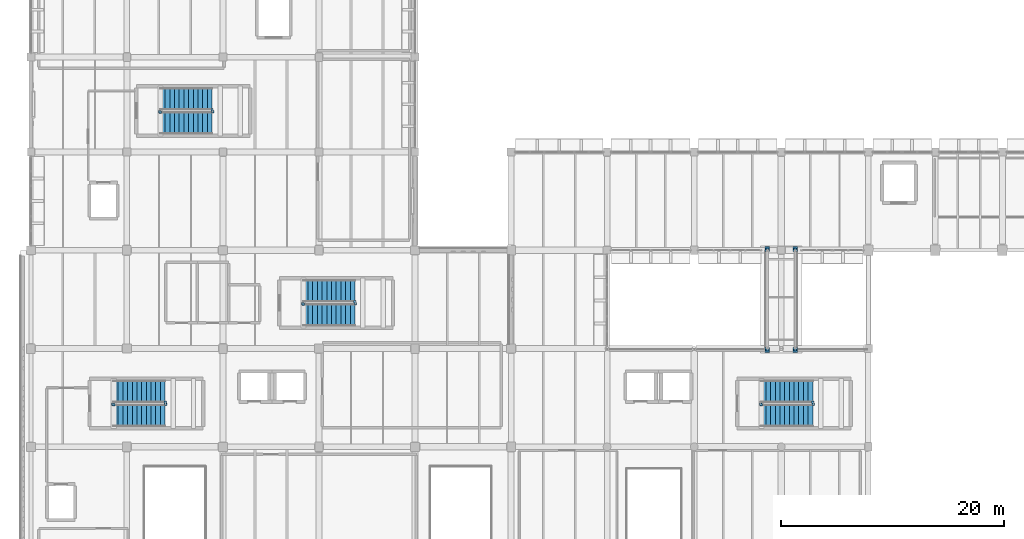
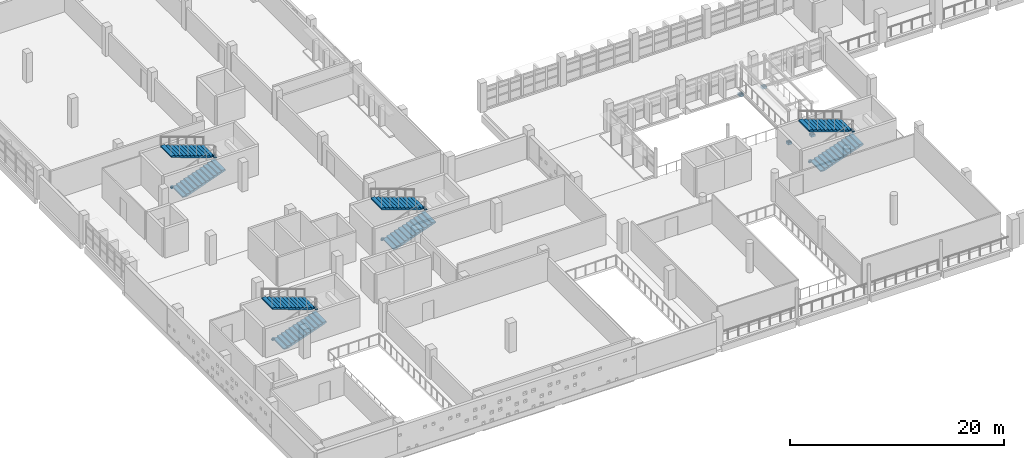
# One storey, part 65 of 75: 24 discrete accessories, 8 stair flights, 4 elements without a shape of their own.
"""IFC4 building model written with IfcOpenShell, lengths in metres."""

from ifc_helpers import new_model, si_unit, direction, frame, origin, origin_2d, place, context, subcontext, project, spatial, polyline, rectangle, outline, extrude, material, type_object, element, aggregate, save


model = new_model("IFC4")

# Units and contexts
model_context = context("Model", 3, precision=1e-05, world=origin(), true_north=direction((0.0, 1.0)))
body_context = subcontext(model_context, "Body", "Model", "MODEL_VIEW")
ifc_project = project(units=[si_unit("LENGTHUNIT", "METRE"), si_unit("AREAUNIT", "SQUARE_METRE"), si_unit("VOLUMEUNIT", "CUBIC_METRE"), si_unit("PLANEANGLEUNIT", "RADIAN"), si_unit("MASSUNIT", "GRAM", prefix="KILO")], contexts=[model_context])

# Site, building, storey
site_placement = place(None, origin())
site = spatial("IfcSite", under=ifc_project, at=site_placement, CompositionType="ELEMENT")
building_placement = place(site_placement, origin())
building = spatial("IfcBuilding", under=site, at=building_placement, Name="Varnakota Cinema and Media Centre", CompositionType="ELEMENT")
storey_placement = place(building_placement, frame((0.0, 0.0, 8.39990234375)))
storey = spatial("IfcBuildingStorey", under=building, at=storey_placement, Name="L02", CompositionType="ELEMENT", Elevation=8.39990234375)

# Stair, stair flights
ifc_material_1 = material(Name="Concrete M35", Category="concrete")
stair_type_1 = type_object("IfcStairType", Name="STR-CORE-ST-01-2000", PredefinedType="HALF_TURN_STAIR", material=ifc_material_1)
stair_1_placement = place(storey_placement, origin())
stair_1 = element("IfcStair", 1, at=stair_1_placement, inside=storey, type_object=stair_type_1, Name="L02 West Firefighting Stair 1", PredefinedType="HALF_TURN_STAIR")
ifc_material_2 = material(Name="Concrete M35", Category="concrete")
stair_flight_type_1 = type_object("IfcStairFlightType", Name="STF-CORE-ST-01-2000", PredefinedType="STRAIGHT", material=ifc_material_2)
stair_flight_1_placement = place(storey_placement, frame((7.39990234375, 20.39990234375, 0.0), z_axis=(0.0, 0.0, 1.0), x_axis=(1.0, 0.0, 0.0)))
stair_flight_1 = element("IfcStairFlight", 2, at=stair_flight_1_placement, type_object=stair_flight_type_1, Name="ST-01 flight 1", NumberOfRisers=12, NumberOfTreads=11, PredefinedType="STRAIGHT", RiserHeight=0.15, TreadLength=0.42, context=body_context, shape_type="SweptSolid", body=[
    extrude(outline(polyline([(0.0, 0.0), (0.0, 0.14990234375), (0.419921875, 0.14990234375), (0.419921875, 0.300048828125), (0.840087890625, 0.300048828125), (0.840087890625, 0.449951171875), (1.260009765625, 0.449951171875), (1.260009765625, 0.60009765625), (1.679931640625, 0.60009765625), (1.679931640625, 0.75), (2.10009765625, 0.75), (2.10009765625, 0.89990234375), (2.52001953125, 0.89990234375), (2.52001953125, 1.050048828125), (2.93994140625, 1.050048828125), (2.93994140625, 1.199951171875), (3.360107421875, 1.199951171875), (3.360107421875, 1.35009765625), (3.780029296875, 1.35009765625), (3.780029296875, 1.5), (4.199951171875, 1.5), (4.199951171875, 1.64990234375), (4.6201171875, 1.64990234375), (4.6201171875, 1.800048828125), (4.6201171875, 1.49072265625), (0.44580078125, 0.0), (0.0, 0.0)])), frame((0.0, 1.0, 0.0), z_axis=(0.0, -1.0, 0.0), x_axis=(1.0, 0.0, 0.0)), (0.0, 0.0, 1.0), 2.0),
])
stair_flight_2_placement = place(storey_placement, frame((12.02001953125, 22.550048828125, 1.800048828125), z_axis=(0.0, 0.0, 1.0), x_axis=(-1.0, 0.0, 0.0)))
stair_flight_2 = element("IfcStairFlight", 3, at=stair_flight_2_placement, type_object=stair_flight_type_1, Name="ST-01 flight 2", NumberOfRisers=12, NumberOfTreads=11, PredefinedType="STRAIGHT", RiserHeight=0.15, TreadLength=0.42, context=body_context, shape_type="SweptSolid", body=[
    extrude(outline(polyline([(0.0, 0.0), (0.0, 0.14990234375), (0.419921875, 0.14990234375), (0.419921875, 0.300048828125), (0.840087890625, 0.300048828125), (0.840087890625, 0.449951171875), (1.260009765625, 0.449951171875), (1.260009765625, 0.60009765625), (1.679931640625, 0.60009765625), (1.679931640625, 0.75), (2.10009765625, 0.75), (2.10009765625, 0.89990234375), (2.52001953125, 0.89990234375), (2.52001953125, 1.050048828125), (2.93994140625, 1.050048828125), (2.93994140625, 1.199951171875), (3.360107421875, 1.199951171875), (3.360107421875, 1.35009765625), (3.780029296875, 1.35009765625), (3.780029296875, 1.5), (4.199951171875, 1.5), (4.199951171875, 1.64990234375), (4.6201171875, 1.64990234375), (4.6201171875, 1.800048828125), (4.6201171875, 1.49072265625), (0.44580078125, 0.0), (0.0, 0.0)])), frame((0.0, 1.0, 0.0), z_axis=(0.0, -1.0, 0.0), x_axis=(1.0, 0.0, 0.0)), (0.0, 0.0, 1.0), 2.0),
])
aggregate(stair_1, [stair_flight_1, stair_flight_2])

ifc_material_3 = material(Name="Concrete M35", Category="concrete")
stair_type_2 = type_object("IfcStairType", Name="STR-CORE-ST-02-2000", PredefinedType="HALF_TURN_STAIR", material=ifc_material_3)
stair_2_placement = place(storey_placement, origin())
stair_2 = element("IfcStair", 4, at=stair_2_placement, inside=storey, type_object=stair_type_2, Name="L02 Cinema North Escape Stair 2", PredefinedType="HALF_TURN_STAIR")
ifc_material_4 = material(Name="Concrete M35", Category="concrete")
stair_flight_type_2 = type_object("IfcStairFlightType", Name="STF-CORE-ST-02-2000", PredefinedType="STRAIGHT", material=ifc_material_4)
stair_flight_3_placement = place(storey_placement, frame((24.39990234375, 29.39990234375, 0.0), z_axis=(0.0, 0.0, 1.0), x_axis=(1.0, 0.0, 0.0)))
stair_flight_3 = element("IfcStairFlight", 5, at=stair_flight_3_placement, type_object=stair_flight_type_2, Name="ST-02 flight 1", NumberOfRisers=12, NumberOfTreads=11, PredefinedType="STRAIGHT", RiserHeight=0.15, TreadLength=0.42, context=body_context, shape_type="SweptSolid", body=[
    extrude(outline(polyline([(0.0, 0.0), (0.0, 0.14990234375), (0.419921875, 0.14990234375), (0.419921875, 0.300048828125), (0.840087890625, 0.300048828125), (0.840087890625, 0.449951171875), (1.260009765625, 0.449951171875), (1.260009765625, 0.60009765625), (1.679931640625, 0.60009765625), (1.679931640625, 0.75), (2.10009765625, 0.75), (2.10009765625, 0.89990234375), (2.52001953125, 0.89990234375), (2.52001953125, 1.050048828125), (2.93994140625, 1.050048828125), (2.93994140625, 1.199951171875), (3.360107421875, 1.199951171875), (3.360107421875, 1.35009765625), (3.780029296875, 1.35009765625), (3.780029296875, 1.5), (4.199951171875, 1.5), (4.199951171875, 1.64990234375), (4.6201171875, 1.64990234375), (4.6201171875, 1.800048828125), (4.6201171875, 1.49072265625), (0.44580078125, 0.0), (0.0, 0.0)])), frame((0.0, 1.0, 0.0), z_axis=(0.0, -1.0, 0.0), x_axis=(1.0, 0.0, 0.0)), (0.0, 0.0, 1.0), 2.0),
])
stair_flight_4_placement = place(storey_placement, frame((29.02001953125, 31.550048828125, 1.800048828125), z_axis=(0.0, 0.0, 1.0), x_axis=(-1.0, 0.0, 0.0)))
stair_flight_4 = element("IfcStairFlight", 6, at=stair_flight_4_placement, type_object=stair_flight_type_2, Name="ST-02 flight 2", NumberOfRisers=12, NumberOfTreads=11, PredefinedType="STRAIGHT", RiserHeight=0.15, TreadLength=0.42, context=body_context, shape_type="SweptSolid", body=[
    extrude(outline(polyline([(0.0, 0.0), (0.0, 0.14990234375), (0.419921875, 0.14990234375), (0.419921875, 0.300048828125), (0.840087890625, 0.300048828125), (0.840087890625, 0.449951171875), (1.260009765625, 0.449951171875), (1.260009765625, 0.60009765625), (1.679931640625, 0.60009765625), (1.679931640625, 0.75), (2.10009765625, 0.75), (2.10009765625, 0.89990234375), (2.52001953125, 0.89990234375), (2.52001953125, 1.050048828125), (2.93994140625, 1.050048828125), (2.93994140625, 1.199951171875), (3.360107421875, 1.199951171875), (3.360107421875, 1.35009765625), (3.780029296875, 1.35009765625), (3.780029296875, 1.5), (4.199951171875, 1.5), (4.199951171875, 1.64990234375), (4.6201171875, 1.64990234375), (4.6201171875, 1.800048828125), (4.6201171875, 1.49072265625), (0.44580078125, 0.0), (0.0, 0.0)])), frame((0.0, 1.0, 0.0), z_axis=(0.0, -1.0, 0.0), x_axis=(1.0, 0.0, 0.0)), (0.0, 0.0, 1.0), 2.0),
])
aggregate(stair_2, [stair_flight_3, stair_flight_4])

ifc_material_5 = material(Name="Concrete M35", Category="concrete")
stair_type_3 = type_object("IfcStairType", Name="STR-CORE-ST-03-2000", PredefinedType="HALF_TURN_STAIR", material=ifc_material_5)
stair_3_placement = place(storey_placement, origin())
stair_3 = element("IfcStair", 7, at=stair_3_placement, inside=storey, type_object=stair_type_3, Name="L02 Studio Firefighting Stair 3", PredefinedType="HALF_TURN_STAIR")
ifc_material_6 = material(Name="Concrete M35", Category="concrete")
stair_flight_type_3 = type_object("IfcStairFlightType", Name="STF-CORE-ST-03-2000", PredefinedType="STRAIGHT", material=ifc_material_6)
stair_flight_5_placement = place(storey_placement, frame((11.60009765625, 46.60009765625, 0.0), z_axis=(0.0, 0.0, 1.0), x_axis=(1.0, 0.0, 0.0)))
stair_flight_5 = element("IfcStairFlight", 8, at=stair_flight_5_placement, type_object=stair_flight_type_3, Name="ST-03 flight 1", NumberOfRisers=12, NumberOfTreads=11, PredefinedType="STRAIGHT", RiserHeight=0.15, TreadLength=0.42, context=body_context, shape_type="SweptSolid", body=[
    extrude(outline(polyline([(0.0, 0.0), (0.0, 0.14990234375), (0.419921875, 0.14990234375), (0.419921875, 0.300048828125), (0.840087890625, 0.300048828125), (0.840087890625, 0.449951171875), (1.260009765625, 0.449951171875), (1.260009765625, 0.60009765625), (1.679931640625, 0.60009765625), (1.679931640625, 0.75), (2.10009765625, 0.75), (2.10009765625, 0.89990234375), (2.52001953125, 0.89990234375), (2.52001953125, 1.050048828125), (2.93994140625, 1.050048828125), (2.93994140625, 1.199951171875), (3.360107421875, 1.199951171875), (3.360107421875, 1.35009765625), (3.780029296875, 1.35009765625), (3.780029296875, 1.5), (4.199951171875, 1.5), (4.199951171875, 1.64990234375), (4.6201171875, 1.64990234375), (4.6201171875, 1.800048828125), (4.6201171875, 1.49072265625), (0.44580078125, 0.0), (0.0, 0.0)])), frame((0.0, 1.0, 0.0), z_axis=(0.0, -1.0, 0.0), x_axis=(1.0, 0.0, 0.0)), (0.0, 0.0, 1.0), 2.0),
])
stair_flight_6_placement = place(storey_placement, frame((16.219970703125, 48.75, 1.800048828125), z_axis=(0.0, 0.0, 1.0), x_axis=(-1.0, 0.0, 0.0)))
stair_flight_6 = element("IfcStairFlight", 9, at=stair_flight_6_placement, type_object=stair_flight_type_3, Name="ST-03 flight 2", NumberOfRisers=12, NumberOfTreads=11, PredefinedType="STRAIGHT", RiserHeight=0.15, TreadLength=0.42, context=body_context, shape_type="SweptSolid", body=[
    extrude(outline(polyline([(0.0, 0.0), (0.0, 0.14990234375), (0.419921875, 0.14990234375), (0.419921875, 0.300048828125), (0.840087890625, 0.300048828125), (0.840087890625, 0.449951171875), (1.260009765625, 0.449951171875), (1.260009765625, 0.60009765625), (1.679931640625, 0.60009765625), (1.679931640625, 0.75), (2.10009765625, 0.75), (2.10009765625, 0.89990234375), (2.52001953125, 0.89990234375), (2.52001953125, 1.050048828125), (2.93994140625, 1.050048828125), (2.93994140625, 1.199951171875), (3.360107421875, 1.199951171875), (3.360107421875, 1.35009765625), (3.780029296875, 1.35009765625), (3.780029296875, 1.5), (4.199951171875, 1.5), (4.199951171875, 1.64990234375), (4.6201171875, 1.64990234375), (4.6201171875, 1.800048828125), (4.6201171875, 1.49072265625), (0.44580078125, 0.0), (0.0, 0.0)])), frame((0.0, 1.0, 0.0), z_axis=(0.0, -1.0, 0.0), x_axis=(1.0, 0.0, 0.0)), (0.0, 0.0, 1.0), 2.0),
])
aggregate(stair_3, [stair_flight_5, stair_flight_6])

ifc_material_7 = material(Name="Concrete M35", Category="concrete")
stair_type_4 = type_object("IfcStairType", Name="STR-CORE-ST-04-2000", PredefinedType="HALF_TURN_STAIR", material=ifc_material_7)
stair_4_placement = place(storey_placement, origin())
stair_4 = element("IfcStair", 10, at=stair_4_placement, inside=storey, type_object=stair_type_4, Name="L02 Foyer and Terrace Escape Stair 4", PredefinedType="HALF_TURN_STAIR")
ifc_material_8 = material(Name="Concrete M35", Category="concrete")
stair_flight_type_4 = type_object("IfcStairFlightType", Name="STF-CORE-ST-04-2000", PredefinedType="STRAIGHT", material=ifc_material_8)
stair_flight_7_placement = place(storey_placement, frame((65.39990234375, 20.39990234375, 0.0), z_axis=(0.0, 0.0, 1.0), x_axis=(1.0, 0.0, 0.0)))
stair_flight_7 = element("IfcStairFlight", 11, at=stair_flight_7_placement, type_object=stair_flight_type_4, Name="ST-04 flight 1", NumberOfRisers=12, NumberOfTreads=11, PredefinedType="STRAIGHT", RiserHeight=0.15, TreadLength=0.42, context=body_context, shape_type="SweptSolid", body=[
    extrude(outline(polyline([(0.0, 0.0), (0.0, 0.14990234375), (0.419921875, 0.14990234375), (0.419921875, 0.300048828125), (0.840087890625, 0.300048828125), (0.840087890625, 0.449951171875), (1.260009765625, 0.449951171875), (1.260009765625, 0.60009765625), (1.679931640625, 0.60009765625), (1.679931640625, 0.75), (2.10009765625, 0.75), (2.10009765625, 0.89990234375), (2.52001953125, 0.89990234375), (2.52001953125, 1.050048828125), (2.93994140625, 1.050048828125), (2.93994140625, 1.199951171875), (3.360107421875, 1.199951171875), (3.360107421875, 1.35009765625), (3.780029296875, 1.35009765625), (3.780029296875, 1.5), (4.199951171875, 1.5), (4.199951171875, 1.64990234375), (4.6201171875, 1.64990234375), (4.6201171875, 1.800048828125), (4.6201171875, 1.49072265625), (0.44580078125, 0.0), (0.0, 0.0)])), frame((0.0, 1.0, 0.0), z_axis=(0.0, -1.0, 0.0), x_axis=(1.0, 0.0, 0.0)), (0.0, 0.0, 1.0), 2.0),
])
stair_flight_8_placement = place(storey_placement, frame((70.02001953125, 22.550048828125, 1.800048828125), z_axis=(0.0, 0.0, 1.0), x_axis=(-1.0, 0.0, 0.0)))
stair_flight_8 = element("IfcStairFlight", 12, at=stair_flight_8_placement, type_object=stair_flight_type_4, Name="ST-04 flight 2", NumberOfRisers=12, NumberOfTreads=11, PredefinedType="STRAIGHT", RiserHeight=0.15, TreadLength=0.42, context=body_context, shape_type="SweptSolid", body=[
    extrude(outline(polyline([(0.0, 0.0), (0.0, 0.14990234375), (0.419921875, 0.14990234375), (0.419921875, 0.300048828125), (0.840087890625, 0.300048828125), (0.840087890625, 0.449951171875), (1.260009765625, 0.449951171875), (1.260009765625, 0.60009765625), (1.679931640625, 0.60009765625), (1.679931640625, 0.75), (2.10009765625, 0.75), (2.10009765625, 0.89990234375), (2.52001953125, 0.89990234375), (2.52001953125, 1.050048828125), (2.93994140625, 1.050048828125), (2.93994140625, 1.199951171875), (3.360107421875, 1.199951171875), (3.360107421875, 1.35009765625), (3.780029296875, 1.35009765625), (3.780029296875, 1.5), (4.199951171875, 1.5), (4.199951171875, 1.64990234375), (4.6201171875, 1.64990234375), (4.6201171875, 1.800048828125), (4.6201171875, 1.49072265625), (0.44580078125, 0.0), (0.0, 0.0)])), frame((0.0, 1.0, 0.0), z_axis=(0.0, -1.0, 0.0), x_axis=(1.0, 0.0, 0.0)), (0.0, 0.0, 1.0), 2.0),
])
aggregate(stair_4, [stair_flight_7, stair_flight_8])

# Discrete accessories
ifc_material_9 = material(Name="Structural steel Grade 350 (E350)", Category="steel")
discrete_accessory_type_1 = type_object("IfcDiscreteAccessoryType", Name="ACC-BRACKET-SG", PredefinedType="BRACKET", material=ifc_material_9)
for number, where, z_axis, x_axis, name in (
    (13, (7.39990234375, 21.35009765625, 0.06005859375), (0.0, 0.0, 1.0), (1.0, 0.0, 0.0), "L02 stair guard base bracket ST-01-L02-G1"),
    (14, (12.070068359375, 21.39990234375, 1.7099609375), (0.0, 0.0, 1.0), (1.0, 0.0, 0.0), "L02 stair guard base bracket ST-01-L02-G2"),
    (15, (12.02001953125, 21.60009765625, 1.8603515625), (0.0, 0.0, 1.0), (1.0, 0.0, 0.0), "L02 stair guard base bracket ST-01-L02-G3"),
    (16, (7.35009765625, 21.39990234375, -0.08984375), (0.0, 0.0, 1.0), (1.0, 0.0, 0.0), "L02 stair guard base bracket ST-01-L02-G4"),
    (17, (24.39990234375, 30.35009765625, 0.06005859375), (0.0, 0.0, 1.0), (1.0, 0.0, 0.0), "L02 stair guard base bracket ST-02-L02-G1"),
    (18, (29.070068359375, 30.39990234375, 1.7099609375), (0.0, 0.0, 1.0), (1.0, 0.0, 0.0), "L02 stair guard base bracket ST-02-L02-G2"),
    (19, (29.02001953125, 30.60009765625, 1.8603515625), (0.0, 0.0, 1.0), (1.0, 0.0, 0.0), "L02 stair guard base bracket ST-02-L02-G3"),
    (20, (24.35009765625, 30.39990234375, -0.08984375), (0.0, 0.0, 1.0), (1.0, 0.0, 0.0), "L02 stair guard base bracket ST-02-L02-G4"),
    (21, (11.60009765625, 47.550048828125, 0.06005859375), (0.0, 0.0, 1.0), (1.0, 0.0, 0.0), "L02 stair guard base bracket ST-03-L02-G1"),
    (22, (16.27001953125, 47.60009765625, 1.7099609375), (0.0, 0.0, 1.0), (1.0, 0.0, 0.0), "L02 stair guard base bracket ST-03-L02-G2"),
    (23, (16.219970703125, 47.800048828125, 1.8603515625), (0.0, 0.0, 1.0), (1.0, 0.0, 0.0), "L02 stair guard base bracket ST-03-L02-G3"),
    (24, (11.550048828125, 47.60009765625, -0.08984375), (0.0, 0.0, 1.0), (1.0, 0.0, 0.0), "L02 stair guard base bracket ST-03-L02-G4"),
    (25, (65.39990234375, 21.35009765625, 0.06005859375), (0.0, 0.0, 1.0), (1.0, 0.0, 0.0), "L02 stair guard base bracket ST-04-L02-G1"),
    (26, (70.070068359375, 21.39990234375, 1.7099609375), (0.0, 0.0, 1.0), (1.0, 0.0, 0.0), "L02 stair guard base bracket ST-04-L02-G2"),
    (27, (70.02001953125, 21.60009765625, 1.8603515625), (0.0, 0.0, 1.0), (1.0, 0.0, 0.0), "L02 stair guard base bracket ST-04-L02-G3"),
    (28, (65.35009765625, 21.39990234375, -0.08984375), (0.0, 0.0, 1.0), (1.0, 0.0, 0.0), "L02 stair guard base bracket ST-04-L02-G4"),
):
    element("IfcDiscreteAccessory", number, at=place(storey_placement, frame(where, z_axis=z_axis, x_axis=x_axis)), inside=storey, type_object=discrete_accessory_type_1, Name=name, PredefinedType="BRACKET", context=body_context, shape_type="SweptSolid", body=[
        extrude(rectangle(XDim=0.219970703125, YDim=0.219970703125, at=origin_2d()), origin(), (0.0, 0.0, 1.0), 0.139892578125),
    ])
ifc_material_10 = material(Name="Structural steel Grade 350 (E350)", Category="steel")
discrete_accessory_type_2 = type_object("IfcDiscreteAccessoryType", Name="ACC-PTFE-SLIDE-200", PredefinedType="BRACKET", material=ifc_material_10)
for number, where, z_axis, x_axis, name in (
    (29, (65.949951171875, 26.27490234375, -0.84228515625), (0.0, 0.0, 1.0), (1.0, 0.0, 0.0), "L02 Chowk sky-bridge BR2 unguided PTFE sliding bearing 1.1 (450 mm seat)"),
    (30, (65.949951171875, 35.324951171875, -0.84228515625), (0.0, 0.0, 1.0), (1.0, 0.0, 0.0), "L02 Chowk sky-bridge BR2 unguided PTFE sliding bearing 1.2 (450 mm seat)"),
    (31, (68.449951171875, 26.27490234375, -0.84228515625), (0.0, 0.0, 1.0), (1.0, 0.0, 0.0), "L02 Chowk sky-bridge BR2 unguided PTFE sliding bearing 2.1 (450 mm seat)"),
    (32, (68.449951171875, 35.324951171875, -0.84228515625), (0.0, 0.0, 1.0), (1.0, 0.0, 0.0), "L02 Chowk sky-bridge BR2 unguided PTFE sliding bearing 2.2 (450 mm seat)"),
):
    element("IfcDiscreteAccessory", number, at=place(storey_placement, frame(where, z_axis=z_axis, x_axis=x_axis)), inside=storey, type_object=discrete_accessory_type_2, Name=name, PredefinedType="BRACKET", context=body_context, shape_type="SweptSolid", body=[
        extrude(rectangle(XDim=0.25, YDim=0.199951171875, at=origin_2d()), origin(), (0.0, 0.0, 1.0), 0.044921875),
    ])
ifc_material_11 = material(Name="Concrete M40", Category="concrete")
discrete_accessory_type_3 = type_object("IfcDiscreteAccessoryType", Name="ACC-RC-CORBEL-450", PredefinedType="BRACKET", material=ifc_material_11)
for number, where, z_axis, x_axis, name in (
    (33, (65.949951171875, 26.27490234375, -1.08984375), (0.0, 0.0, 1.0), (1.0, 0.0, 0.0), "L02 Chowk sky-bridge BR2 450 mm Concrete M40 bearing corbel seat 1.1"),
    (34, (65.949951171875, 35.324951171875, -1.08984375), (0.0, 0.0, 1.0), (1.0, 0.0, 0.0), "L02 Chowk sky-bridge BR2 450 mm Concrete M40 bearing corbel seat 1.2"),
    (35, (68.449951171875, 26.27490234375, -1.08984375), (0.0, 0.0, 1.0), (1.0, 0.0, 0.0), "L02 Chowk sky-bridge BR2 450 mm Concrete M40 bearing corbel seat 2.1"),
    (36, (68.449951171875, 35.324951171875, -1.08984375), (0.0, 0.0, 1.0), (1.0, 0.0, 0.0), "L02 Chowk sky-bridge BR2 450 mm Concrete M40 bearing corbel seat 2.2"),
):
    element("IfcDiscreteAccessory", number, at=place(storey_placement, frame(where, z_axis=z_axis, x_axis=x_axis)), inside=storey, type_object=discrete_accessory_type_3, Name=name, PredefinedType="BRACKET", context=body_context, shape_type="SweptSolid", body=[
        extrude(rectangle(XDim=0.419921875, YDim=0.449951171875, at=origin_2d()), origin(), (0.0, 0.0, 1.0), 0.25),
    ])

save(model, "model.ifc")
